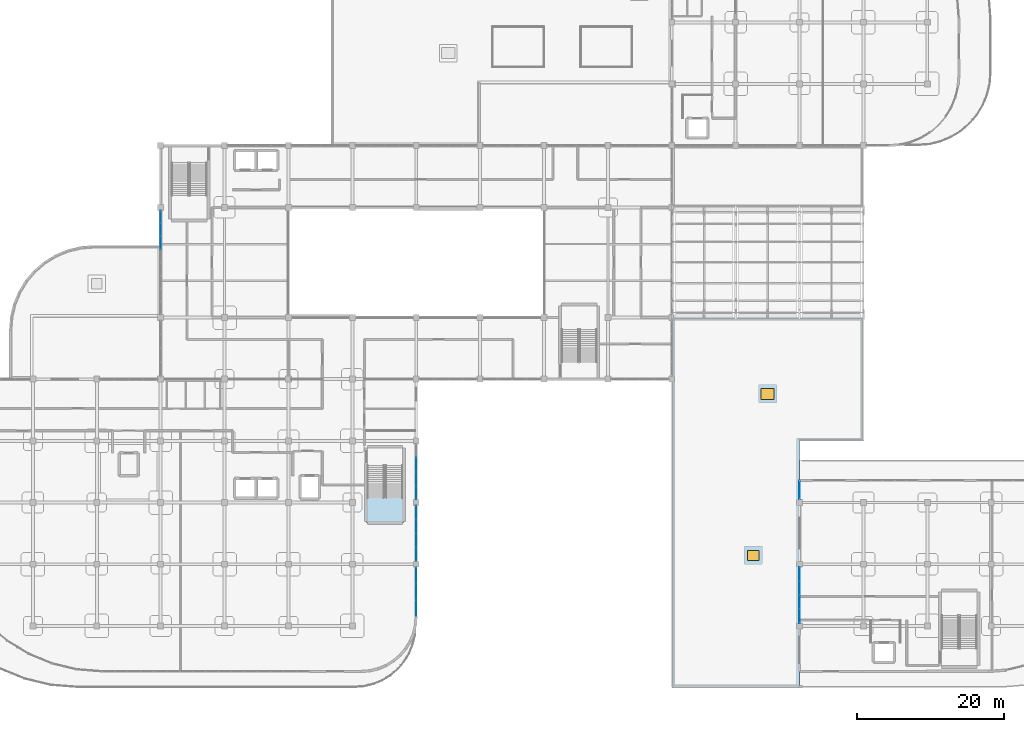
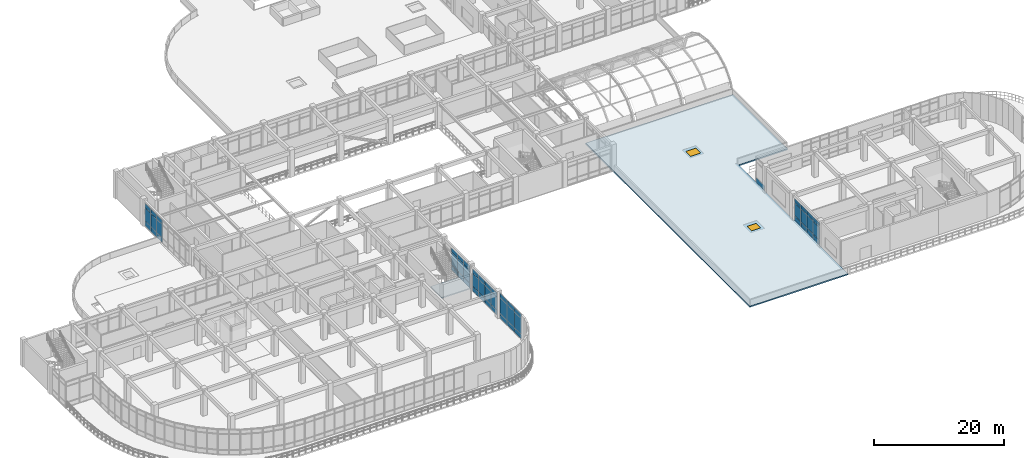
# One storey, part 94 of 124: 53 plates, 2 slabs, 2 windows, 2 openings, 7 elements without a shape of their own.
"""IFC4 building model written with IfcOpenShell, lengths in metres."""

from ifc_helpers import new_model, si_unit, derived_unit, direction, frame, origin, origin_2d, place, context, subcontext, project, spatial, polyline, rectangle, outline, extrude, material, layer, layer_set, type_object, element, fill, aggregate, save


model = new_model("IFC4")

# Units and contexts
model_context = context("Model", 3, precision=1e-05, world=origin(), true_north=direction((0.0, 1.0)))
body_context = subcontext(model_context, "Body", "Model", "MODEL_VIEW")
ifc_project = project(units=[si_unit("LENGTHUNIT", "METRE"), si_unit("AREAUNIT", "SQUARE_METRE"), si_unit("VOLUMEUNIT", "CUBIC_METRE"), si_unit("PLANEANGLEUNIT", "RADIAN"), si_unit("MASSUNIT", "GRAM", prefix="KILO"), derived_unit("THERMALTRANSMITTANCEUNIT", [(si_unit("MASSUNIT", "GRAM", prefix="KILO"), 1), (si_unit("TIMEUNIT", "SECOND"), -3), (si_unit("THERMODYNAMICTEMPERATUREUNIT", "KELVIN"), -1)])], contexts=[model_context])

# Site, building, storey
site_placement = place(None, origin())
site = spatial("IfcSite", under=ifc_project, at=site_placement, CompositionType="ELEMENT")
building_placement = place(site_placement, origin())
building = spatial("IfcBuilding", under=site, at=building_placement, Name="Qinzheling Arcade Emporium", CompositionType="ELEMENT")
storey_placement = place(building_placement, frame((0.0, 0.0, 16.5)))
storey = spatial("IfcBuildingStorey", under=building, at=storey_placement, Name="L04", CompositionType="ELEMENT", Elevation=16.5)

# Slab, openings, windows
ifc_material_1 = material(Name="Concrete C40", Category="concrete")
ifc_layer_1 = layer(ifc_material_1, 0.239990234375, Name="Concrete C40", Category="concrete")
ifc_layer_set_1 = layer_set([ifc_layer_1], Name="Concrete C40")
slab_type_1 = type_object("IfcSlabType", Name="Insulated Flat Roof Slab 240 C40", PredefinedType="ROOF", material=ifc_layer_set_1)
slab_1_placement = place(storey_placement, frame((0.0, 0.0, -0.239990234375)))
slab_1 = element("IfcSlab", 1, at=slab_1_placement, inside=storey, type_object=slab_type_1, Name="Roof Slab SLB-RF-V3S", PredefinedType="ROOF", context=body_context, shape_type="SweptSolid", body=[
    extrude(outline(polyline([(121.800048828125, 33.60009765625), (130.5, 33.60009765625), (130.5, 50.39990234375), (104.39990234375, 50.39990234375), (104.39990234375, 33.60009765625), (104.39990234375, 0.0), (121.800048828125, 0.0), (121.800048828125, 33.60009765625)])), origin(), (0.0, 0.0, 1.0), 0.239990234375),
])
opening_1_placement = place(slab_1_placement, frame((115.5, 18.0, -0.010009765625)))
opening_1 = element("IfcOpeningElement", 2, at=opening_1_placement, cuts=slab_1, Name="Opening RH02", PredefinedType="OPENING", context=body_context, shape_type="SweptSolid", body=[
    extrude(rectangle(XDim=1.60009765625, YDim=1.39990234375, at=origin_2d()), origin(), (0.0, 0.0, 1.0), 0.260009765625),
])
opening_2_placement = place(slab_1_placement, frame((117.449951171875, 40.0, -0.010009765625)))
opening_2 = element("IfcOpeningElement", 3, at=opening_2_placement, cuts=slab_1, Name="Opening RH03", PredefinedType="OPENING", context=body_context, shape_type="SweptSolid", body=[
    extrude(rectangle(XDim=1.800048828125, YDim=1.5, at=origin_2d()), origin(), (0.0, 0.0, 1.0), 0.260009765625),
])
ifc_material_2 = material(Name="Insulated aluminium skylight hatch", Category="aluminium")
window_type_1 = type_object("IfcWindowType", Name="Insulated Roof Smoke and Access Hatch 1600x1400", PartitioningType="SINGLE_PANEL", PredefinedType="SKYLIGHT", material=ifc_material_2)
window_1_placement = place(opening_1_placement, frame((0.0, 0.0, 0.199951171875)))
window_1 = element("IfcWindow", 4, at=window_1_placement, inside=storey, type_object=window_type_1, Name="RH02 Roof Hatch RHT-L04-04", OverallHeight=1.39990234375, OverallWidth=1.60009765625, PartitioningType="SINGLE_PANEL", PredefinedType="SKYLIGHT", context=body_context, shape_type="SweptSolid", body=[
    extrude(rectangle(XDim=1.60009765625, YDim=1.39990234375, at=origin_2d()), origin(), (0.0, 0.0, 1.0), 0.050048828125),
])
fill(opening_1, window_1)
window_type_2 = type_object("IfcWindowType", Name="Insulated Roof Smoke and Access Hatch 1800x1500", PartitioningType="SINGLE_PANEL", PredefinedType="SKYLIGHT", material=ifc_material_2)
window_2_placement = place(opening_2_placement, frame((0.0, 0.0, 0.199951171875)))
window_2 = element("IfcWindow", 5, at=window_2_placement, inside=storey, type_object=window_type_2, Name="RH03 Roof Hatch RHT-L04-05", OverallHeight=1.5, OverallWidth=1.800048828125, PartitioningType="SINGLE_PANEL", PredefinedType="SKYLIGHT", context=body_context, shape_type="SweptSolid", body=[
    extrude(rectangle(XDim=1.800048828125, YDim=1.5, at=origin_2d()), origin(), (0.0, 0.0, 1.0), 0.050048828125),
])
fill(opening_2, window_2)

# Curtain wall, plates
ifc_material_3 = material(Name="Anodised aluminium and solar-control double glazing", Category="aluminium")
ifc_layer_2 = layer(ifc_material_3, 0.159912109375, Name="Anodised aluminium and solar-control double glazing", Category="aluminium")
ifc_layer_set_2 = layer_set([ifc_layer_2], Name="Anodised aluminium and solar-control double glazing")
curtain_wall_type_1 = type_object("IfcCurtainWallType", Name="Arcade Portal Glazed Curtain Wall", PredefinedType="NOTDEFINED", material=ifc_layer_set_2)
curtain_wall_1_placement = place(storey_placement, origin())
curtain_wall_1 = element("IfcCurtainWall", 6, at=curtain_wall_1_placement, inside=storey, type_object=curtain_wall_type_1, Name="Curtain Wall CW-L04-257", PredefinedType="NOTDEFINED")
ifc_material_4 = material(Name="Laminated solar-control double glazing", Category="glass")
ifc_layer_3 = layer(ifc_material_4, 0.02587890625, Name="Laminated solar-control double glazing", Category="glass")
ifc_layer_set_3 = layer_set([ifc_layer_3], Name="Laminated solar-control double glazing")
plate_type_1 = type_object("IfcPlateType", Name="Low-E Double Glazed Curtain Panel 26mm", PredefinedType="CURTAIN_PANEL", material=ifc_layer_set_3)
plate_1_placement = place(storey_placement, frame((69.60009765625, 30.349609375, 0.06005859375), z_axis=(0.0, 0.0, 1.0), x_axis=(0.0, -1.0, 0.0)))
plate_1 = element("IfcPlate", 7, at=plate_1_placement, type_object=plate_type_1, Name="CW05 panel 2.1", PredefinedType="CURTAIN_PANEL", context=body_context, shape_type="SweptSolid", body=[
    extrude(rectangle(XDim=1.839111328125, YDim=0.02587890625, at=origin_2d()), origin(), (0.0, 0.0, 1.0), 0.860107421875),
])
plate_2_placement = place(storey_placement, frame((69.60009765625, 30.349609375, 0.97998046875), z_axis=(0.0, 0.0, 1.0), x_axis=(0.0, -1.0, 0.0)))
plate_2 = element("IfcPlate", 8, at=plate_2_placement, type_object=plate_type_1, Name="CW05 panel 2.2", PredefinedType="CURTAIN_PANEL", context=body_context, shape_type="SweptSolid", body=[
    extrude(rectangle(XDim=1.839111328125, YDim=0.02587890625, at=origin_2d()), origin(), (0.0, 0.0, 1.0), 2.39501953125),
])
plate_3_placement = place(storey_placement, frame((69.60009765625, 30.349609375, 3.43505859375), z_axis=(0.0, 0.0, 1.0), x_axis=(0.0, -1.0, 0.0)))
plate_3 = element("IfcPlate", 9, at=plate_3_placement, type_object=plate_type_1, Name="CW05 panel 2.3", PredefinedType="CURTAIN_PANEL", context=body_context, shape_type="SweptSolid", body=[
    extrude(rectangle(XDim=1.839111328125, YDim=0.02587890625, at=origin_2d()), origin(), (0.0, 0.0, 1.0), 0.760009765625),
])
plate_4_placement = place(storey_placement, frame((69.60009765625, 28.450439453125, 0.06005859375), z_axis=(0.0, 0.0, 1.0), x_axis=(0.0, -1.0, 0.0)))
plate_4 = element("IfcPlate", 10, at=plate_4_placement, type_object=plate_type_1, Name="CW05 panel 3.1", PredefinedType="CURTAIN_PANEL", context=body_context, shape_type="SweptSolid", body=[
    extrude(rectangle(XDim=1.839111328125, YDim=0.02587890625, at=origin_2d()), origin(), (0.0, 0.0, 1.0), 0.860107421875),
])
plate_5_placement = place(storey_placement, frame((69.60009765625, 28.450439453125, 0.97998046875), z_axis=(0.0, 0.0, 1.0), x_axis=(0.0, -1.0, 0.0)))
plate_5 = element("IfcPlate", 11, at=plate_5_placement, type_object=plate_type_1, Name="CW05 panel 3.2", PredefinedType="CURTAIN_PANEL", context=body_context, shape_type="SweptSolid", body=[
    extrude(rectangle(XDim=1.839111328125, YDim=0.02587890625, at=origin_2d()), origin(), (0.0, 0.0, 1.0), 2.39501953125),
])
plate_6_placement = place(storey_placement, frame((69.60009765625, 28.450439453125, 3.43505859375), z_axis=(0.0, 0.0, 1.0), x_axis=(0.0, -1.0, 0.0)))
plate_6 = element("IfcPlate", 12, at=plate_6_placement, type_object=plate_type_1, Name="CW05 panel 3.3", PredefinedType="CURTAIN_PANEL", context=body_context, shape_type="SweptSolid", body=[
    extrude(rectangle(XDim=1.839111328125, YDim=0.02587890625, at=origin_2d()), origin(), (0.0, 0.0, 1.0), 0.760009765625),
])
plate_7_placement = place(storey_placement, frame((69.60009765625, 26.56640625, 0.06005859375), z_axis=(0.0, 0.0, 1.0), x_axis=(0.0, -1.0, 0.0)))
plate_7 = element("IfcPlate", 13, at=plate_7_placement, type_object=plate_type_1, Name="CW05 panel 4.1", PredefinedType="CURTAIN_PANEL", context=body_context, shape_type="SweptSolid", body=[
    extrude(rectangle(XDim=1.80908203125, YDim=0.02587890625, at=origin_2d()), origin(), (0.0, 0.0, 1.0), 0.860107421875),
])
plate_8_placement = place(storey_placement, frame((69.60009765625, 26.56640625, 0.97998046875), z_axis=(0.0, 0.0, 1.0), x_axis=(0.0, -1.0, 0.0)))
plate_8 = element("IfcPlate", 14, at=plate_8_placement, type_object=plate_type_1, Name="CW05 panel 4.2", PredefinedType="CURTAIN_PANEL", context=body_context, shape_type="SweptSolid", body=[
    extrude(rectangle(XDim=1.80908203125, YDim=0.02587890625, at=origin_2d()), origin(), (0.0, 0.0, 1.0), 2.39501953125),
])
plate_9_placement = place(storey_placement, frame((69.60009765625, 26.56640625, 3.43505859375), z_axis=(0.0, 0.0, 1.0), x_axis=(0.0, -1.0, 0.0)))
plate_9 = element("IfcPlate", 15, at=plate_9_placement, type_object=plate_type_1, Name="CW05 panel 4.3", PredefinedType="CURTAIN_PANEL", context=body_context, shape_type="SweptSolid", body=[
    extrude(rectangle(XDim=1.80908203125, YDim=0.02587890625, at=origin_2d()), origin(), (0.0, 0.0, 1.0), 0.760009765625),
])
aggregate(curtain_wall_1, [plate_1, plate_2, plate_3, plate_4, plate_5, plate_6, plate_7, plate_8, plate_9])

ifc_layer_4 = layer(ifc_material_3, 0.159912109375, Name="Anodised aluminium and solar-control double glazing", Category="aluminium")
ifc_layer_set_4 = layer_set([ifc_layer_4], Name="Anodised aluminium and solar-control double glazing")
curtain_wall_type_2 = type_object("IfcCurtainWallType", Name="Atrium Clerestory Curtain Wall", PredefinedType="NOTDEFINED", material=ifc_layer_set_4)
curtain_wall_2_placement = place(storey_placement, origin())
curtain_wall_2 = element("IfcCurtainWall", 16, at=curtain_wall_2_placement, inside=storey, type_object=curtain_wall_type_2, Name="Curtain Wall CW-L04-242", PredefinedType="NOTDEFINED")
ifc_layer_5 = layer(ifc_material_4, 0.027099609375, Name="Laminated solar-control double glazing", Category="glass")
ifc_layer_set_5 = layer_set([ifc_layer_5], Name="Laminated solar-control double glazing")
plate_type_2 = type_object("IfcPlateType", Name="Low-E Double Glazed Curtain Panel 27mm", PredefinedType="CURTAIN_PANEL", material=ifc_layer_set_5)
plate_10_placement = place(storey_placement, frame((34.800048828125, 60.56298828125, 0.06005859375), z_axis=(0.0, 0.0, 1.0), x_axis=(0.0, 1.0, 0.0)))
plate_10 = element("IfcPlate", 17, at=plate_10_placement, type_object=plate_type_2, Name="CW03 panel 2.1", PredefinedType="CURTAIN_PANEL", context=body_context, shape_type="SweptSolid", body=[
    extrude(rectangle(XDim=1.714111328125, YDim=0.027099609375, at=origin_2d()), origin(), (0.0, 0.0, 1.0), 0.860107421875),
])
plate_11_placement = place(storey_placement, frame((34.800048828125, 60.56298828125, 0.97998046875), z_axis=(0.0, 0.0, 1.0), x_axis=(0.0, 1.0, 0.0)))
plate_11 = element("IfcPlate", 18, at=plate_11_placement, type_object=plate_type_2, Name="CW03 panel 2.2", PredefinedType="CURTAIN_PANEL", context=body_context, shape_type="SweptSolid", body=[
    extrude(rectangle(XDim=1.714111328125, YDim=0.027099609375, at=origin_2d()), origin(), (0.0, 0.0, 1.0), 2.45703125),
])
plate_12_placement = place(storey_placement, frame((34.800048828125, 60.56298828125, 3.4970703125), z_axis=(0.0, 0.0, 1.0), x_axis=(0.0, 1.0, 0.0)))
plate_12 = element("IfcPlate", 19, at=plate_12_placement, type_object=plate_type_2, Name="CW03 panel 2.3", PredefinedType="CURTAIN_PANEL", context=body_context, shape_type="SweptSolid", body=[
    extrude(rectangle(XDim=1.714111328125, YDim=0.027099609375, at=origin_2d()), origin(), (0.0, 0.0, 1.0), 0.760009765625),
])
plate_13_placement = place(storey_placement, frame((34.800048828125, 62.3369140625, 0.06005859375), z_axis=(0.0, 0.0, 1.0), x_axis=(0.0, 1.0, 0.0)))
plate_13 = element("IfcPlate", 20, at=plate_13_placement, type_object=plate_type_2, Name="CW03 panel 3.1", PredefinedType="CURTAIN_PANEL", context=body_context, shape_type="SweptSolid", body=[
    extrude(rectangle(XDim=1.714111328125, YDim=0.027099609375, at=origin_2d()), origin(), (0.0, 0.0, 1.0), 0.860107421875),
])
plate_14_placement = place(storey_placement, frame((34.800048828125, 62.3369140625, 0.97998046875), z_axis=(0.0, 0.0, 1.0), x_axis=(0.0, 1.0, 0.0)))
plate_14 = element("IfcPlate", 21, at=plate_14_placement, type_object=plate_type_2, Name="CW03 panel 3.2", PredefinedType="CURTAIN_PANEL", context=body_context, shape_type="SweptSolid", body=[
    extrude(rectangle(XDim=1.714111328125, YDim=0.027099609375, at=origin_2d()), origin(), (0.0, 0.0, 1.0), 2.45703125),
])
plate_15_placement = place(storey_placement, frame((34.800048828125, 62.3369140625, 3.4970703125), z_axis=(0.0, 0.0, 1.0), x_axis=(0.0, 1.0, 0.0)))
plate_15 = element("IfcPlate", 22, at=plate_15_placement, type_object=plate_type_2, Name="CW03 panel 3.3", PredefinedType="CURTAIN_PANEL", context=body_context, shape_type="SweptSolid", body=[
    extrude(rectangle(XDim=1.714111328125, YDim=0.027099609375, at=origin_2d()), origin(), (0.0, 0.0, 1.0), 0.760009765625),
])
plate_16_placement = place(storey_placement, frame((34.800048828125, 64.095947265625, 0.06005859375), z_axis=(0.0, 0.0, 1.0), x_axis=(0.0, 1.0, 0.0)))
plate_16 = element("IfcPlate", 23, at=plate_16_placement, type_object=plate_type_2, Name="CW03 panel 4.1", PredefinedType="CURTAIN_PANEL", context=body_context, shape_type="SweptSolid", body=[
    extrude(rectangle(XDim=1.68408203125, YDim=0.027099609375, at=origin_2d()), origin(), (0.0, 0.0, 1.0), 0.860107421875),
])
plate_17_placement = place(storey_placement, frame((34.800048828125, 64.095947265625, 0.97998046875), z_axis=(0.0, 0.0, 1.0), x_axis=(0.0, 1.0, 0.0)))
plate_17 = element("IfcPlate", 24, at=plate_17_placement, type_object=plate_type_2, Name="CW03 panel 4.2", PredefinedType="CURTAIN_PANEL", context=body_context, shape_type="SweptSolid", body=[
    extrude(rectangle(XDim=1.68408203125, YDim=0.027099609375, at=origin_2d()), origin(), (0.0, 0.0, 1.0), 2.45703125),
])
plate_18_placement = place(storey_placement, frame((34.800048828125, 64.095947265625, 3.4970703125), z_axis=(0.0, 0.0, 1.0), x_axis=(0.0, 1.0, 0.0)))
plate_18 = element("IfcPlate", 25, at=plate_18_placement, type_object=plate_type_2, Name="CW03 panel 4.3", PredefinedType="CURTAIN_PANEL", context=body_context, shape_type="SweptSolid", body=[
    extrude(rectangle(XDim=1.68408203125, YDim=0.027099609375, at=origin_2d()), origin(), (0.0, 0.0, 1.0), 0.760009765625),
])
aggregate(curtain_wall_2, [plate_10, plate_11, plate_12, plate_13, plate_14, plate_15, plate_16, plate_17, plate_18])

curtain_wall_3_placement = place(storey_placement, origin())
curtain_wall_3 = element("IfcCurtainWall", 26, at=curtain_wall_3_placement, inside=storey, type_object=curtain_wall_type_1, Name="Curtain Wall CW-L04-258", PredefinedType="NOTDEFINED")
plate_19_placement = place(storey_placement, frame((69.60009765625, 23.83349609375, 0.06005859375), z_axis=(0.0, 0.0, 1.0), x_axis=(0.0, -1.0, 0.0)))
plate_19 = element("IfcPlate", 27, at=plate_19_placement, type_object=plate_type_2, Name="CW05 panel 1.1", PredefinedType="CURTAIN_PANEL", context=body_context, shape_type="SweptSolid", body=[
    extrude(rectangle(XDim=1.80908203125, YDim=0.027099609375, at=origin_2d()), origin(), (0.0, 0.0, 1.0), 0.860107421875),
])
plate_20_placement = place(storey_placement, frame((69.60009765625, 23.83349609375, 0.97998046875), z_axis=(0.0, 0.0, 1.0), x_axis=(0.0, -1.0, 0.0)))
plate_20 = element("IfcPlate", 28, at=plate_20_placement, type_object=plate_type_2, Name="CW05 panel 1.2", PredefinedType="CURTAIN_PANEL", context=body_context, shape_type="SweptSolid", body=[
    extrude(rectangle(XDim=1.80908203125, YDim=0.027099609375, at=origin_2d()), origin(), (0.0, 0.0, 1.0), 2.39501953125),
])
plate_21_placement = place(storey_placement, frame((69.60009765625, 23.83349609375, 3.43505859375), z_axis=(0.0, 0.0, 1.0), x_axis=(0.0, -1.0, 0.0)))
plate_21 = element("IfcPlate", 29, at=plate_21_placement, type_object=plate_type_2, Name="CW05 panel 1.3", PredefinedType="CURTAIN_PANEL", context=body_context, shape_type="SweptSolid", body=[
    extrude(rectangle(XDim=1.80908203125, YDim=0.027099609375, at=origin_2d()), origin(), (0.0, 0.0, 1.0), 0.760009765625),
])
plate_22_placement = place(storey_placement, frame((69.60009765625, 21.949462890625, 0.06005859375), z_axis=(0.0, 0.0, 1.0), x_axis=(0.0, -1.0, 0.0)))
plate_22 = element("IfcPlate", 30, at=plate_22_placement, type_object=plate_type_2, Name="CW05 panel 2.1", PredefinedType="CURTAIN_PANEL", context=body_context, shape_type="SweptSolid", body=[
    extrude(rectangle(XDim=1.839111328125, YDim=0.027099609375, at=origin_2d()), origin(), (0.0, 0.0, 1.0), 0.860107421875),
])
plate_23_placement = place(storey_placement, frame((69.60009765625, 21.949462890625, 0.97998046875), z_axis=(0.0, 0.0, 1.0), x_axis=(0.0, -1.0, 0.0)))
plate_23 = element("IfcPlate", 31, at=plate_23_placement, type_object=plate_type_2, Name="CW05 panel 2.2", PredefinedType="CURTAIN_PANEL", context=body_context, shape_type="SweptSolid", body=[
    extrude(rectangle(XDim=1.839111328125, YDim=0.027099609375, at=origin_2d()), origin(), (0.0, 0.0, 1.0), 2.39501953125),
])
plate_24_placement = place(storey_placement, frame((69.60009765625, 21.949462890625, 3.43505859375), z_axis=(0.0, 0.0, 1.0), x_axis=(0.0, -1.0, 0.0)))
plate_24 = element("IfcPlate", 32, at=plate_24_placement, type_object=plate_type_2, Name="CW05 panel 2.3", PredefinedType="CURTAIN_PANEL", context=body_context, shape_type="SweptSolid", body=[
    extrude(rectangle(XDim=1.839111328125, YDim=0.027099609375, at=origin_2d()), origin(), (0.0, 0.0, 1.0), 0.760009765625),
])
plate_25_placement = place(storey_placement, frame((69.60009765625, 20.050537109375, 0.06005859375), z_axis=(0.0, 0.0, 1.0), x_axis=(0.0, -1.0, 0.0)))
plate_25 = element("IfcPlate", 33, at=plate_25_placement, type_object=plate_type_2, Name="CW05 panel 3.1", PredefinedType="CURTAIN_PANEL", context=body_context, shape_type="SweptSolid", body=[
    extrude(rectangle(XDim=1.839111328125, YDim=0.027099609375, at=origin_2d()), origin(), (0.0, 0.0, 1.0), 0.860107421875),
])
plate_26_placement = place(storey_placement, frame((69.60009765625, 20.050537109375, 0.97998046875), z_axis=(0.0, 0.0, 1.0), x_axis=(0.0, -1.0, 0.0)))
plate_26 = element("IfcPlate", 34, at=plate_26_placement, type_object=plate_type_2, Name="CW05 panel 3.2", PredefinedType="CURTAIN_PANEL", context=body_context, shape_type="SweptSolid", body=[
    extrude(rectangle(XDim=1.839111328125, YDim=0.027099609375, at=origin_2d()), origin(), (0.0, 0.0, 1.0), 2.39501953125),
])
plate_27_placement = place(storey_placement, frame((69.60009765625, 20.050537109375, 3.43505859375), z_axis=(0.0, 0.0, 1.0), x_axis=(0.0, -1.0, 0.0)))
plate_27 = element("IfcPlate", 35, at=plate_27_placement, type_object=plate_type_2, Name="CW05 panel 3.3", PredefinedType="CURTAIN_PANEL", context=body_context, shape_type="SweptSolid", body=[
    extrude(rectangle(XDim=1.839111328125, YDim=0.027099609375, at=origin_2d()), origin(), (0.0, 0.0, 1.0), 0.760009765625),
])
plate_28_placement = place(storey_placement, frame((69.60009765625, 18.16650390625, 0.06005859375), z_axis=(0.0, 0.0, 1.0), x_axis=(0.0, -1.0, 0.0)))
plate_28 = element("IfcPlate", 36, at=plate_28_placement, type_object=plate_type_2, Name="CW05 panel 4.1", PredefinedType="CURTAIN_PANEL", context=body_context, shape_type="SweptSolid", body=[
    extrude(rectangle(XDim=1.80908203125, YDim=0.027099609375, at=origin_2d()), origin(), (0.0, 0.0, 1.0), 0.860107421875),
])
plate_29_placement = place(storey_placement, frame((69.60009765625, 18.16650390625, 0.97998046875), z_axis=(0.0, 0.0, 1.0), x_axis=(0.0, -1.0, 0.0)))
plate_29 = element("IfcPlate", 37, at=plate_29_placement, type_object=plate_type_2, Name="CW05 panel 4.2", PredefinedType="CURTAIN_PANEL", context=body_context, shape_type="SweptSolid", body=[
    extrude(rectangle(XDim=1.80908203125, YDim=0.027099609375, at=origin_2d()), origin(), (0.0, 0.0, 1.0), 2.39501953125),
])
plate_30_placement = place(storey_placement, frame((69.60009765625, 18.16650390625, 3.43505859375), z_axis=(0.0, 0.0, 1.0), x_axis=(0.0, -1.0, 0.0)))
plate_30 = element("IfcPlate", 38, at=plate_30_placement, type_object=plate_type_2, Name="CW05 panel 4.3", PredefinedType="CURTAIN_PANEL", context=body_context, shape_type="SweptSolid", body=[
    extrude(rectangle(XDim=1.80908203125, YDim=0.027099609375, at=origin_2d()), origin(), (0.0, 0.0, 1.0), 0.760009765625),
])
aggregate(curtain_wall_3, [plate_19, plate_20, plate_21, plate_22, plate_23, plate_24, plate_25, plate_26, plate_27, plate_28, plate_29, plate_30])

curtain_wall_4_placement = place(storey_placement, origin())
curtain_wall_4 = element("IfcCurtainWall", 39, at=curtain_wall_4_placement, inside=storey, type_object=curtain_wall_type_1, Name="Curtain Wall CW-L04-259", PredefinedType="NOTDEFINED")
ifc_layer_6 = layer(ifc_material_4, 0.028076171875, Name="Laminated solar-control double glazing", Category="glass")
ifc_layer_set_6 = layer_set([ifc_layer_6], Name="Laminated solar-control double glazing")
plate_type_3 = type_object("IfcPlateType", Name="Low-E Double Glazed Curtain Panel 28mm", PredefinedType="CURTAIN_PANEL", material=ifc_layer_set_6)
plate_31_placement = place(storey_placement, frame((69.60009765625, 15.2666015625, 0.06005859375), z_axis=(0.0, 0.0, 1.0), x_axis=(0.0, -1.0, 0.0)))
plate_31 = element("IfcPlate", 40, at=plate_31_placement, type_object=plate_type_3, Name="CW05 panel 1.1", PredefinedType="CURTAIN_PANEL", context=body_context, shape_type="SweptSolid", body=[
    extrude(rectangle(XDim=2.142578125, YDim=0.028076171875, at=origin_2d()), origin(), (0.0, 0.0, 1.0), 0.860107421875),
])
plate_32_placement = place(storey_placement, frame((69.60009765625, 15.2666015625, 0.97998046875), z_axis=(0.0, 0.0, 1.0), x_axis=(0.0, -1.0, 0.0)))
plate_32 = element("IfcPlate", 41, at=plate_32_placement, type_object=plate_type_3, Name="CW05 panel 1.2", PredefinedType="CURTAIN_PANEL", context=body_context, shape_type="SweptSolid", body=[
    extrude(rectangle(XDim=2.142578125, YDim=0.028076171875, at=origin_2d()), origin(), (0.0, 0.0, 1.0), 2.929931640625),
])
plate_33_placement = place(storey_placement, frame((69.60009765625, 15.2666015625, 3.97021484375), z_axis=(0.0, 0.0, 1.0), x_axis=(0.0, -1.0, 0.0)))
plate_33 = element("IfcPlate", 42, at=plate_33_placement, type_object=plate_type_3, Name="CW05 panel 1.3", PredefinedType="CURTAIN_PANEL", context=body_context, shape_type="SweptSolid", body=[
    extrude(rectangle(XDim=2.142578125, YDim=0.028076171875, at=origin_2d()), origin(), (0.0, 0.0, 1.0), 0.760009765625),
])
plate_34_placement = place(storey_placement, frame((69.60009765625, 13.049072265625, 0.06005859375), z_axis=(0.0, 0.0, 1.0), x_axis=(0.0, -1.0, 0.0)))
plate_34 = element("IfcPlate", 43, at=plate_34_placement, type_object=plate_type_3, Name="CW05 panel 2.1", PredefinedType="CURTAIN_PANEL", context=body_context, shape_type="SweptSolid", body=[
    extrude(rectangle(XDim=2.172607421875, YDim=0.028076171875, at=origin_2d()), origin(), (0.0, 0.0, 1.0), 0.860107421875),
])
plate_35_placement = place(storey_placement, frame((69.60009765625, 13.049072265625, 0.97998046875), z_axis=(0.0, 0.0, 1.0), x_axis=(0.0, -1.0, 0.0)))
plate_35 = element("IfcPlate", 44, at=plate_35_placement, type_object=plate_type_3, Name="CW05 panel 2.2", PredefinedType="CURTAIN_PANEL", context=body_context, shape_type="SweptSolid", body=[
    extrude(rectangle(XDim=2.172607421875, YDim=0.028076171875, at=origin_2d()), origin(), (0.0, 0.0, 1.0), 2.929931640625),
])
plate_36_placement = place(storey_placement, frame((69.60009765625, 13.049072265625, 3.97021484375), z_axis=(0.0, 0.0, 1.0), x_axis=(0.0, -1.0, 0.0)))
plate_36 = element("IfcPlate", 45, at=plate_36_placement, type_object=plate_type_3, Name="CW05 panel 2.3", PredefinedType="CURTAIN_PANEL", context=body_context, shape_type="SweptSolid", body=[
    extrude(rectangle(XDim=2.172607421875, YDim=0.028076171875, at=origin_2d()), origin(), (0.0, 0.0, 1.0), 0.760009765625),
])
plate_37_placement = place(storey_placement, frame((69.60009765625, 10.831298828125, 0.06005859375), z_axis=(0.0, 0.0, 1.0), x_axis=(0.0, -1.0, 0.0)))
plate_37 = element("IfcPlate", 46, at=plate_37_placement, type_object=plate_type_3, Name="CW05 panel 3.1", PredefinedType="CURTAIN_PANEL", context=body_context, shape_type="SweptSolid", body=[
    extrude(rectangle(XDim=2.142578125, YDim=0.028076171875, at=origin_2d()), origin(), (0.0, 0.0, 1.0), 0.860107421875),
])
plate_38_placement = place(storey_placement, frame((69.60009765625, 10.831298828125, 0.97998046875), z_axis=(0.0, 0.0, 1.0), x_axis=(0.0, -1.0, 0.0)))
plate_38 = element("IfcPlate", 47, at=plate_38_placement, type_object=plate_type_3, Name="CW05 panel 3.2", PredefinedType="CURTAIN_PANEL", context=body_context, shape_type="SweptSolid", body=[
    extrude(rectangle(XDim=2.142578125, YDim=0.028076171875, at=origin_2d()), origin(), (0.0, 0.0, 1.0), 2.929931640625),
])
plate_39_placement = place(storey_placement, frame((69.60009765625, 10.831298828125, 3.97021484375), z_axis=(0.0, 0.0, 1.0), x_axis=(0.0, -1.0, 0.0)))
plate_39 = element("IfcPlate", 48, at=plate_39_placement, type_object=plate_type_3, Name="CW05 panel 3.3", PredefinedType="CURTAIN_PANEL", context=body_context, shape_type="SweptSolid", body=[
    extrude(rectangle(XDim=2.142578125, YDim=0.028076171875, at=origin_2d()), origin(), (0.0, 0.0, 1.0), 0.760009765625),
])
aggregate(curtain_wall_4, [plate_31, plate_32, plate_33, plate_34, plate_35, plate_36, plate_37, plate_38, plate_39])

ifc_layer_7 = layer(ifc_material_3, 0.159912109375, Name="Anodised aluminium and solar-control double glazing", Category="aluminium")
ifc_layer_set_7 = layer_set([ifc_layer_7], Name="Anodised aluminium and solar-control double glazing")
curtain_wall_type_3 = type_object("IfcCurtainWallType", Name="Food Hall Loggia Curtain Wall", PredefinedType="NOTDEFINED", material=ifc_layer_set_7)
curtain_wall_5_placement = place(storey_placement, origin())
curtain_wall_5 = element("IfcCurtainWall", 49, at=curtain_wall_5_placement, inside=storey, type_object=curtain_wall_type_3, Name="Curtain Wall CW-L04-217", PredefinedType="NOTDEFINED")
ifc_layer_8 = layer(ifc_material_4, 0.035888671875, Name="Laminated solar-control double glazing", Category="glass")
ifc_layer_set_8 = layer_set([ifc_layer_8], Name="Laminated solar-control double glazing")
plate_type_4 = type_object("IfcPlateType", Name="Low-E Double Glazed Curtain Panel 36mm", PredefinedType="CURTAIN_PANEL", material=ifc_layer_set_8)
plate_40_placement = place(storey_placement, frame((121.800048828125, 9.7666015625, 0.06005859375), z_axis=(0.0, 0.0, 1.0), x_axis=(0.0, 1.0, 0.0)))
plate_40 = element("IfcPlate", 50, at=plate_40_placement, type_object=plate_type_4, Name="CW04 panel 1.1", PredefinedType="CURTAIN_PANEL", context=body_context, shape_type="SweptSolid", body=[
    extrude(rectangle(XDim=1.80908203125, YDim=0.035888671875, at=origin_2d()), origin(), (0.0, 0.0, 1.0), 0.860107421875),
])
plate_41_placement = place(storey_placement, frame((121.800048828125, 9.7666015625, 0.97998046875), z_axis=(0.0, 0.0, 1.0), x_axis=(0.0, 1.0, 0.0)))
plate_41 = element("IfcPlate", 51, at=plate_41_placement, type_object=plate_type_4, Name="CW04 panel 1.2", PredefinedType="CURTAIN_PANEL", context=body_context, shape_type="SweptSolid", body=[
    extrude(rectangle(XDim=1.80908203125, YDim=0.035888671875, at=origin_2d()), origin(), (0.0, 0.0, 1.0), 2.3798828125),
])
plate_42_placement = place(storey_placement, frame((121.800048828125, 9.7666015625, 3.419921875), z_axis=(0.0, 0.0, 1.0), x_axis=(0.0, 1.0, 0.0)))
plate_42 = element("IfcPlate", 52, at=plate_42_placement, type_object=plate_type_4, Name="CW04 panel 1.3", PredefinedType="CURTAIN_PANEL", context=body_context, shape_type="SweptSolid", body=[
    extrude(rectangle(XDim=1.80908203125, YDim=0.035888671875, at=origin_2d()), origin(), (0.0, 0.0, 1.0), 0.760009765625),
])
plate_43_placement = place(storey_placement, frame((121.800048828125, 11.650390625, 0.06005859375), z_axis=(0.0, 0.0, 1.0), x_axis=(0.0, 1.0, 0.0)))
plate_43 = element("IfcPlate", 53, at=plate_43_placement, type_object=plate_type_4, Name="CW04 panel 2.1", PredefinedType="CURTAIN_PANEL", context=body_context, shape_type="SweptSolid", body=[
    extrude(rectangle(XDim=1.839111328125, YDim=0.035888671875, at=origin_2d()), origin(), (0.0, 0.0, 1.0), 0.860107421875),
])
plate_44_placement = place(storey_placement, frame((121.800048828125, 11.650390625, 0.97998046875), z_axis=(0.0, 0.0, 1.0), x_axis=(0.0, 1.0, 0.0)))
plate_44 = element("IfcPlate", 54, at=plate_44_placement, type_object=plate_type_4, Name="CW04 panel 2.2", PredefinedType="CURTAIN_PANEL", context=body_context, shape_type="SweptSolid", body=[
    extrude(rectangle(XDim=1.839111328125, YDim=0.035888671875, at=origin_2d()), origin(), (0.0, 0.0, 1.0), 2.3798828125),
])
plate_45_placement = place(storey_placement, frame((121.800048828125, 11.650390625, 3.419921875), z_axis=(0.0, 0.0, 1.0), x_axis=(0.0, 1.0, 0.0)))
plate_45 = element("IfcPlate", 55, at=plate_45_placement, type_object=plate_type_4, Name="CW04 panel 2.3", PredefinedType="CURTAIN_PANEL", context=body_context, shape_type="SweptSolid", body=[
    extrude(rectangle(XDim=1.839111328125, YDim=0.035888671875, at=origin_2d()), origin(), (0.0, 0.0, 1.0), 0.760009765625),
])
plate_46_placement = place(storey_placement, frame((121.800048828125, 13.549560546875, 0.06005859375), z_axis=(0.0, 0.0, 1.0), x_axis=(0.0, 1.0, 0.0)))
plate_46 = element("IfcPlate", 56, at=plate_46_placement, type_object=plate_type_4, Name="CW04 panel 3.1", PredefinedType="CURTAIN_PANEL", context=body_context, shape_type="SweptSolid", body=[
    extrude(rectangle(XDim=1.839111328125, YDim=0.035888671875, at=origin_2d()), origin(), (0.0, 0.0, 1.0), 0.860107421875),
])
plate_47_placement = place(storey_placement, frame((121.800048828125, 13.549560546875, 0.97998046875), z_axis=(0.0, 0.0, 1.0), x_axis=(0.0, 1.0, 0.0)))
plate_47 = element("IfcPlate", 57, at=plate_47_placement, type_object=plate_type_4, Name="CW04 panel 3.2", PredefinedType="CURTAIN_PANEL", context=body_context, shape_type="SweptSolid", body=[
    extrude(rectangle(XDim=1.839111328125, YDim=0.035888671875, at=origin_2d()), origin(), (0.0, 0.0, 1.0), 2.3798828125),
])
plate_48_placement = place(storey_placement, frame((121.800048828125, 13.549560546875, 3.419921875), z_axis=(0.0, 0.0, 1.0), x_axis=(0.0, 1.0, 0.0)))
plate_48 = element("IfcPlate", 58, at=plate_48_placement, type_object=plate_type_4, Name="CW04 panel 3.3", PredefinedType="CURTAIN_PANEL", context=body_context, shape_type="SweptSolid", body=[
    extrude(rectangle(XDim=1.839111328125, YDim=0.035888671875, at=origin_2d()), origin(), (0.0, 0.0, 1.0), 0.760009765625),
])
plate_49_placement = place(storey_placement, frame((121.800048828125, 15.43359375, 0.06005859375), z_axis=(0.0, 0.0, 1.0), x_axis=(0.0, 1.0, 0.0)))
plate_49 = element("IfcPlate", 59, at=plate_49_placement, type_object=plate_type_4, Name="CW04 panel 4.1", PredefinedType="CURTAIN_PANEL", context=body_context, shape_type="SweptSolid", body=[
    extrude(rectangle(XDim=1.80908203125, YDim=0.035888671875, at=origin_2d()), origin(), (0.0, 0.0, 1.0), 0.860107421875),
])
plate_50_placement = place(storey_placement, frame((121.800048828125, 15.43359375, 0.97998046875), z_axis=(0.0, 0.0, 1.0), x_axis=(0.0, 1.0, 0.0)))
plate_50 = element("IfcPlate", 60, at=plate_50_placement, type_object=plate_type_4, Name="CW04 panel 4.2", PredefinedType="CURTAIN_PANEL", context=body_context, shape_type="SweptSolid", body=[
    extrude(rectangle(XDim=1.80908203125, YDim=0.035888671875, at=origin_2d()), origin(), (0.0, 0.0, 1.0), 2.3798828125),
])
plate_51_placement = place(storey_placement, frame((121.800048828125, 15.43359375, 3.419921875), z_axis=(0.0, 0.0, 1.0), x_axis=(0.0, 1.0, 0.0)))
plate_51 = element("IfcPlate", 61, at=plate_51_placement, type_object=plate_type_4, Name="CW04 panel 4.3", PredefinedType="CURTAIN_PANEL", context=body_context, shape_type="SweptSolid", body=[
    extrude(rectangle(XDim=1.80908203125, YDim=0.035888671875, at=origin_2d()), origin(), (0.0, 0.0, 1.0), 0.760009765625),
])
aggregate(curtain_wall_5, [plate_40, plate_41, plate_42, plate_43, plate_44, plate_45, plate_46, plate_47, plate_48, plate_49, plate_50, plate_51])

# Curtain wall, plate
curtain_wall_6_placement = place(storey_placement, origin())
curtain_wall_6 = element("IfcCurtainWall", 62, at=curtain_wall_6_placement, inside=storey, type_object=curtain_wall_type_3, Name="Curtain Wall CW-L04-218", PredefinedType="NOTDEFINED")
ifc_layer_9 = layer(ifc_material_4, 0.0380859375, Name="Laminated solar-control double glazing", Category="glass")
ifc_layer_set_9 = layer_set([ifc_layer_9], Name="Laminated solar-control double glazing")
plate_type_5 = type_object("IfcPlateType", Name="Low-E Double Glazed Curtain Panel 38mm", PredefinedType="CURTAIN_PANEL", material=ifc_layer_set_9)
plate_52_placement = place(storey_placement, frame((121.800048828125, 26.90087890625, 0.06005859375), z_axis=(0.0, 0.0, 1.0), x_axis=(0.0, 1.0, 0.0)))
plate_52 = element("IfcPlate", 63, at=plate_52_placement, type_object=plate_type_5, Name="CW04 panel 1.1", PredefinedType="CURTAIN_PANEL", context=body_context, shape_type="SweptSolid", body=[
    extrude(rectangle(XDim=2.47802734375, YDim=0.0380859375, at=origin_2d()), origin(), (0.0, 0.0, 1.0), 0.860107421875),
])
aggregate(curtain_wall_6, [plate_52])

# Stair, slab
stair_type = type_object("IfcStairType", Name="Cast-in-Situ Dog-Leg Escape Stair H5100", PredefinedType="HALF_TURN_STAIR", material=ifc_material_1)
stair_placement = place(storey_placement, origin())
stair = element("IfcStair", 64, at=stair_placement, inside=storey, type_object=stair_type, Name="L04 ST01", PredefinedType="HALF_TURN_STAIR")
ifc_layer_10 = layer(ifc_material_1, 0.199951171875, Name="Concrete C40", Category="concrete")
ifc_layer_set_10 = layer_set([ifc_layer_10], Name="Concrete C40")
slab_type_2 = type_object("IfcSlabType", Name="Stair Half-Turn Landing Slab 200 C40", PredefinedType="LANDING", material=ifc_layer_set_10)
slab_2_placement = place(storey_placement, frame((0.0, 0.0, 2.35009765625)))
slab_2 = element("IfcSlab", 65, at=slab_2_placement, type_object=slab_type_2, Name="ST01 landing 1", PredefinedType="LANDING", context=body_context, shape_type="SweptSolid", body=[
    extrude(outline(polyline([(62.830078125, 25.919921875), (67.860107421875, 25.919921875), (67.860107421875, 22.47998046875), (62.830078125, 22.47998046875), (62.830078125, 25.919921875)])), origin(), (0.0, 0.0, 1.0), 0.199951171875),
])
aggregate(stair, [slab_2])

# Plate
ifc_material_5 = material(Name="Perforated anodised aluminium sheet", Category="aluminium")
ifc_layer_11 = layer(ifc_material_5, 0.01806640625, Name="Perforated anodised aluminium sheet", Category="aluminium")
ifc_layer_set_11 = layer_set([ifc_layer_11], Name="Perforated anodised aluminium sheet")
plate_type_6 = type_object("IfcPlateType", Name="Typhoon Storm Louvre Blade 18mm", PredefinedType="SHEET", material=ifc_layer_set_11)
plate_53_placement = place(storey_placement, frame((121.800048828125, 12.60009765625, 3.6650390625), z_axis=(0.0, 0.0, 1.0), x_axis=(0.0, 1.0, 0.0)))
element("IfcPlate", 66, at=plate_53_placement, inside=storey, type_object=plate_type_6, Name="Storm Louvre PLT-SLV-L04-042", PredefinedType="SHEET", context=body_context, shape_type="SweptSolid", body=[
    extrude(rectangle(XDim=7.6259765625, YDim=0.01806640625, at=origin_2d()), origin(), (0.0, 0.0, 1.0), 0.449951171875),
])

save(model, "model.ifc")
